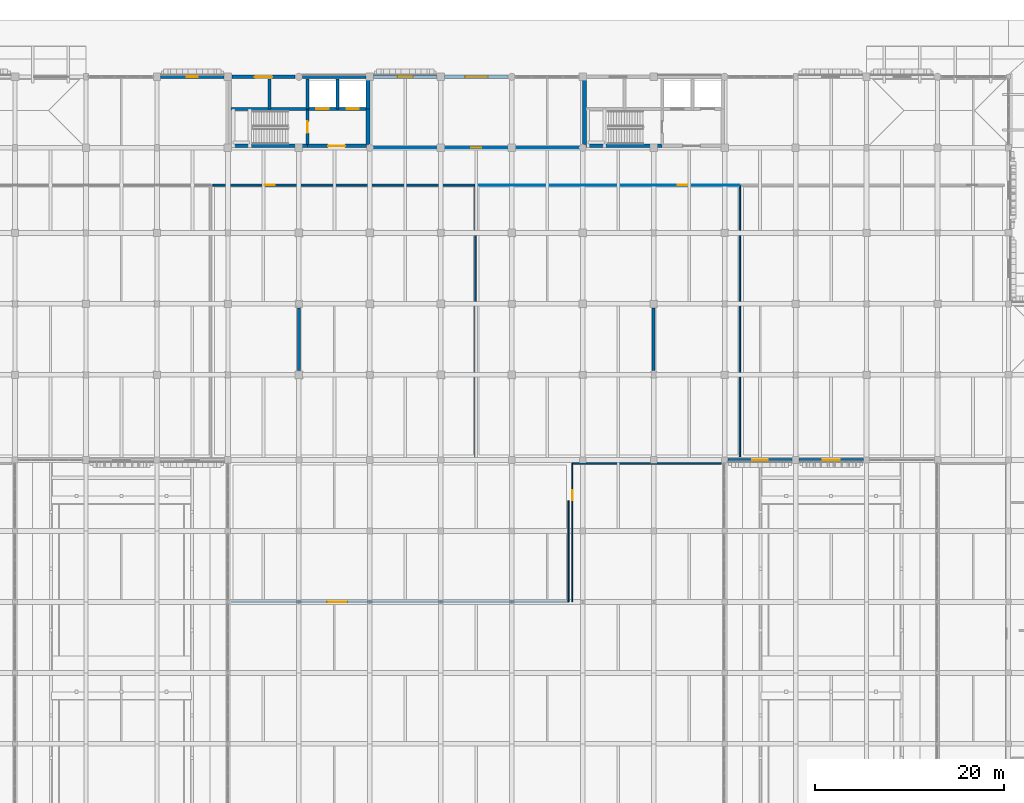
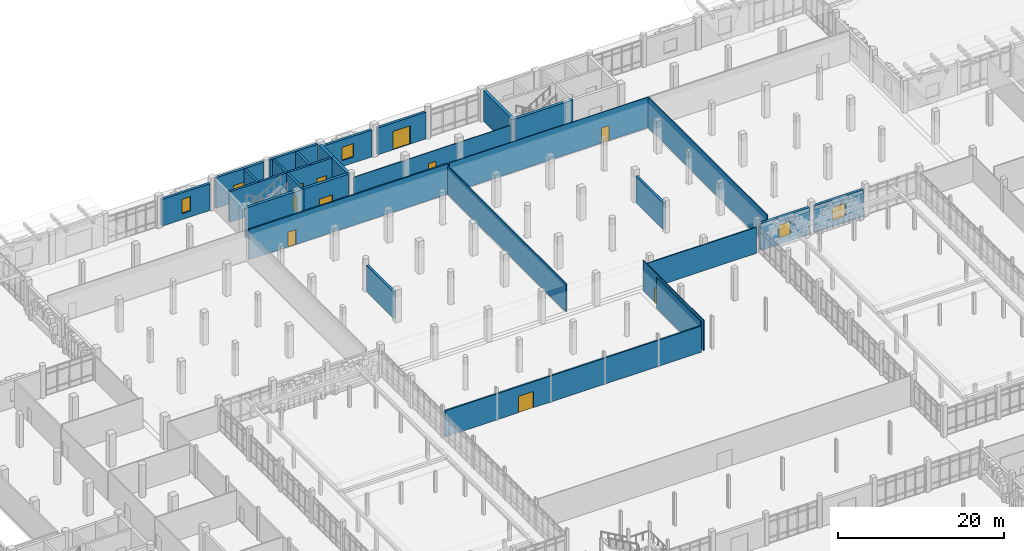
# One storey, part 95 of 125: 30 walls, 11 doors, 4 windows, 15 openings.
"""IFC4 building model written with IfcOpenShell, lengths in metres."""

from ifc_helpers import new_model, si_unit, direction, frame, frame_2d, origin, place, context, subcontext, project, spatial, rectangle, extrude, material, layer, layer_set, type_object, element, fill, save


model = new_model("IFC4")

# Units and contexts
model_context = context("Model", 3, precision=1e-05, world=origin(), true_north=direction((0.0, 1.0)))
body_context = subcontext(model_context, "Body", "Model", "MODEL_VIEW")
ifc_project = project(units=[si_unit("LENGTHUNIT", "METRE"), si_unit("AREAUNIT", "SQUARE_METRE"), si_unit("VOLUMEUNIT", "CUBIC_METRE"), si_unit("PLANEANGLEUNIT", "RADIAN"), si_unit("MASSUNIT", "GRAM", prefix="KILO")], contexts=[model_context])

# Site, building, storey
site_placement = place(None, origin())
site = spatial("IfcSite", under=ifc_project, at=site_placement, CompositionType="ELEMENT")
building_placement = place(site_placement, origin())
building = spatial("IfcBuilding", under=site, at=building_placement, Name="Dalvernix Boulevard General Hospital", CompositionType="ELEMENT")
storey_placement = place(building_placement, origin())
storey = spatial("IfcBuildingStorey", under=building, at=storey_placement, Name="L00", CompositionType="ELEMENT", Elevation=0.0)

# Wall
ifc_material_1 = material(Name="Concrete C40/50", Category="concrete")
ifc_layer_1 = layer(ifc_material_1, 0.39990234375)
ifc_layer_set_1 = layer_set([ifc_layer_1], Name="Concrete C40/50 (WAL-CSW-01)")
wall_type_1 = type_object("IfcWallType", Name="WAL-CSW-01", PredefinedType="SHEAR", material=ifc_layer_set_1)
wall_1_placement = place(storey_placement, frame((60.35009765625, 109.699951171875, 0.0), z_axis=(0.0, 0.0, 1.0), x_axis=(1.0, 0.0, 0.0)))
element("IfcWall", 1, at=wall_1_placement, inside=storey, type_object=wall_type_1, Name="L00 C3 south stairwell wall", PredefinedType="SHEAR", context=body_context, shape_type="SweptSolid", body=[
    extrude(rectangle(XDim=8.0498046875, YDim=0.39990234375, at=frame_2d((4.02490234375, 0.0))), origin(), (0.0, 0.0, 1.0), 4.5),
])

# Wall, opening, door
wall_2_placement = place(storey_placement, frame((68.39990234375, 109.699951171875, 0.0), z_axis=(0.0, 0.0, 1.0), x_axis=(1.0, 0.0, 0.0)))
wall_2 = element("IfcWall", 2, at=wall_2_placement, inside=storey, type_object=wall_type_1, Name="L00 C3 south firefighting lobby wall", PredefinedType="SHEAR", context=body_context, shape_type="SweptSolid", body=[
    extrude(rectangle(XDim=6.25, YDim=0.39990234375, at=frame_2d((3.125, 0.0))), origin(), (0.0, 0.0, 1.0), 4.5),
])
opening_1_placement = place(wall_2_placement, frame((2.199951171875, 0.0, 0.0)))
opening_1 = element("IfcOpeningElement", 3, at=opening_1_placement, cuts=wall_2, Name="Opening FD-01", PredefinedType="OPENING", context=body_context, shape_type="SweptSolid", body=[
    extrude(rectangle(XDim=1.800048828125, YDim=2.25, at=frame_2d((0.89990234375, 1.125))), frame((0.0, 0.2099609375, 0.0), z_axis=(0.0, -1.0, 0.0), x_axis=(1.0, 0.0, 0.0)), (0.0, 0.0, 1.0), 0.419921875),
])
ifc_material_2 = material(Name="Hospital laminate acoustic timber and steel frame", Category="steel")
door_type_1 = type_object("IfcDoorType", Name="DR-FD-01", OperationType="DOUBLE_DOOR_SINGLE_SWING", PredefinedType="DOOR", material=ifc_material_2)
door_1_placement = place(opening_1_placement, origin())
door_1 = element("IfcDoor", 4, at=door_1_placement, inside=storey, type_object=door_type_1, Name="L00 C3 firefighting lobby door", OperationType="DOUBLE_DOOR_SINGLE_SWING", OverallHeight=2.25, OverallWidth=1.800048828125, PredefinedType="DOOR", context=body_context, shape_type="SweptSolid", body=[
    extrude(rectangle(XDim=1.800048828125, YDim=2.25, at=frame_2d((0.89990234375, 1.125))), frame((0.0, 0.02490234375, 0.0), z_axis=(0.0, -1.0, 0.0), x_axis=(1.0, 0.0, 0.0)), (0.0, 0.0, 1.0), 0.050048828125),
])
fill(opening_1, door_1)

# Walls
wall_3_placement = place(storey_placement, frame((74.800048828125, 109.85009765625, 0.0), z_axis=(0.0, 0.0, 1.0), x_axis=(0.0, 1.0, 0.0)))
element("IfcWall", 5, at=wall_3_placement, inside=storey, type_object=wall_type_1, Name="L00 C3 east lobby core wall", PredefinedType="SHEAR", context=body_context, shape_type="SweptSolid", body=[
    extrude(rectangle(XDim=3.75, YDim=0.39990234375, at=frame_2d((1.875, 0.0))), origin(), (0.0, 0.0, 1.0), 4.5),
])
wall_4_placement = place(storey_placement, frame((74.800048828125, 113.60009765625, 0.0), z_axis=(0.0, 0.0, 1.0), x_axis=(0.0, 1.0, 0.0)))
element("IfcWall", 6, at=wall_4_placement, inside=storey, type_object=wall_type_1, Name="L00 C3 east shaft core wall", PredefinedType="SHEAR", context=body_context, shape_type="SweptSolid", body=[
    extrude(rectangle(XDim=3.0498046875, YDim=0.39990234375, at=frame_2d((1.52490234375, 0.0))), origin(), (0.0, 0.0, 1.0), 4.5),
])
wall_5_placement = place(storey_placement, frame((97.85009765625, 109.699951171875, 0.0), z_axis=(0.0, 0.0, 1.0), x_axis=(1.0, 0.0, 0.0)))
element("IfcWall", 7, at=wall_5_placement, inside=storey, type_object=wall_type_1, Name="L00 C4 south stairwell wall", PredefinedType="SHEAR", context=body_context, shape_type="SweptSolid", body=[
    extrude(rectangle(XDim=8.0498046875, YDim=0.39990234375, at=frame_2d((4.02490234375, 0.0))), origin(), (0.0, 0.0, 1.0), 4.5),
])
wall_6_placement = place(storey_placement, frame((97.699951171875, 109.85009765625, 0.0), z_axis=(0.0, 0.0, 1.0), x_axis=(0.0, 1.0, 0.0)))
element("IfcWall", 8, at=wall_6_placement, inside=storey, type_object=wall_type_1, Name="L00 C4 west core wall", PredefinedType="SHEAR", context=body_context, shape_type="SweptSolid", body=[
    extrude(rectangle(XDim=6.7998046875, YDim=0.39990234375, at=frame_2d((3.39990234375, 0.0))), origin(), (0.0, 0.0, 1.0), 4.5),
])
ifc_layer_2 = layer(ifc_material_1, 0.300048828125)
ifc_layer_set_2 = layer_set([ifc_layer_2], Name="Concrete C40/50 (WAL-CSW-02)")
wall_type_2 = type_object("IfcWallType", Name="WAL-CSW-02", PredefinedType="SHEAR", material=ifc_layer_set_2)
wall_7_placement = place(storey_placement, frame((60.35009765625, 113.60009765625, 0.0), z_axis=(0.0, 0.0, 1.0), x_axis=(1.0, 0.0, 0.0)))
element("IfcWall", 9, at=wall_7_placement, inside=storey, type_object=wall_type_2, Name="L00 C3 riser spine wall", PredefinedType="SHEAR", context=body_context, shape_type="SweptSolid", body=[
    extrude(rectangle(XDim=8.0498046875, YDim=0.300048828125, at=frame_2d((4.02490234375, 0.0))), origin(), (0.0, 0.0, 1.0), 4.5),
])

# Wall, openings, doors
wall_8_placement = place(storey_placement, frame((68.39990234375, 113.60009765625, 0.0), z_axis=(0.0, 0.0, 1.0), x_axis=(1.0, 0.0, 0.0)))
wall_8 = element("IfcWall", 10, at=wall_8_placement, inside=storey, type_object=wall_type_2, Name="L00 C3 lift shaft front wall", PredefinedType="SHEAR", context=body_context, shape_type="SweptSolid", body=[
    extrude(rectangle(XDim=6.25, YDim=0.300048828125, at=frame_2d((3.125, 0.0))), origin(), (0.0, 0.0, 1.0), 4.5),
])
opening_2_placement = place(wall_8_placement, frame((0.949951171875, 0.0, 0.0)))
opening_2 = element("IfcOpeningElement", 11, at=opening_2_placement, cuts=wall_8, Name="Opening LD-LF-01-L00", PredefinedType="OPENING", context=body_context, shape_type="SweptSolid", body=[
    extrude(rectangle(XDim=1.300048828125, YDim=2.199951171875, at=frame_2d((0.64990234375, 1.10009765625))), frame((0.0, 0.159912109375, 0.0), z_axis=(0.0, -1.0, 0.0), x_axis=(1.0, 0.0, 0.0)), (0.0, 0.0, 1.0), 0.320068359375),
])
opening_3_placement = place(wall_8_placement, frame((4.14990234375, 0.0, 0.0)))
opening_3 = element("IfcOpeningElement", 12, at=opening_3_placement, cuts=wall_8, Name="Opening LD-LF-02-L00", PredefinedType="OPENING", context=body_context, shape_type="SweptSolid", body=[
    extrude(rectangle(XDim=1.300048828125, YDim=2.199951171875, at=frame_2d((0.64990234375, 1.10009765625))), frame((0.0, 0.159912109375, 0.0), z_axis=(0.0, -1.0, 0.0), x_axis=(1.0, 0.0, 0.0)), (0.0, 0.0, 1.0), 0.320068359375),
])
ifc_material_3 = material(Name="Stainless-clad steel", Category="steel")
door_type_2 = type_object("IfcDoorType", Name="DR-LD-02", OperationType="DOUBLE_DOOR_SLIDING", PredefinedType="DOOR", material=ifc_material_3)
door_2_placement = place(opening_2_placement, origin())
door_2 = element("IfcDoor", 13, at=door_2_placement, inside=storey, type_object=door_type_2, Name="L00 Lift LF-01 sliding landing door", OperationType="DOUBLE_DOOR_SLIDING", OverallHeight=2.199951171875, OverallWidth=1.300048828125, PredefinedType="DOOR", context=body_context, shape_type="SweptSolid", body=[
    extrude(rectangle(XDim=1.300048828125, YDim=2.199951171875, at=frame_2d((0.64990234375, 1.10009765625))), frame((0.0, 0.02490234375, 0.0), z_axis=(0.0, -1.0, 0.0), x_axis=(1.0, 0.0, 0.0)), (0.0, 0.0, 1.0), 0.050048828125),
])
fill(opening_2, door_2)
door_3_placement = place(opening_3_placement, origin())
door_3 = element("IfcDoor", 14, at=door_3_placement, inside=storey, type_object=door_type_2, Name="L00 Lift LF-02 sliding landing door", OperationType="DOUBLE_DOOR_SLIDING", OverallHeight=2.199951171875, OverallWidth=1.300048828125, PredefinedType="DOOR", context=body_context, shape_type="SweptSolid", body=[
    extrude(rectangle(XDim=1.300048828125, YDim=2.199951171875, at=frame_2d((0.64990234375, 1.10009765625))), frame((0.0, 0.02490234375, 0.0), z_axis=(0.0, -1.0, 0.0), x_axis=(1.0, 0.0, 0.0)), (0.0, 0.0, 1.0), 0.050048828125),
])
fill(opening_3, door_3)

# Wall, opening, door
wall_9_placement = place(storey_placement, frame((68.39990234375, 113.5, 0.0), z_axis=(0.0, 0.0, 1.0), x_axis=(0.0, -1.0, 0.0)))
wall_9 = element("IfcWall", 15, at=wall_9_placement, inside=storey, type_object=wall_type_2, Name="L00 C3 stairwell fire wall", PredefinedType="SHEAR", context=body_context, shape_type="SweptSolid", body=[
    extrude(rectangle(XDim=3.64990234375, YDim=0.300048828125, at=frame_2d((1.824951171875, 0.0))), origin(), (0.0, 0.0, 1.0), 4.5),
])
opening_4_placement = place(wall_9_placement, frame((1.219970703125, 0.0, 0.0)))
opening_4 = element("IfcOpeningElement", 16, at=opening_4_placement, cuts=wall_9, Name="Opening FD-02", PredefinedType="OPENING", context=body_context, shape_type="SweptSolid", body=[
    extrude(rectangle(XDim=1.199951171875, YDim=2.25, at=frame_2d((0.60009765625, 1.125))), frame((0.0, 0.159912109375, 0.0), z_axis=(0.0, -1.0, 0.0), x_axis=(1.0, 0.0, 0.0)), (0.0, 0.0, 1.0), 0.320068359375),
])
door_type_3 = type_object("IfcDoorType", Name="DR-FD-02", OperationType="NOTDEFINED", PredefinedType="DOOR", material=ifc_material_2)
door_4_placement = place(opening_4_placement, origin())
door_4 = element("IfcDoor", 17, at=door_4_placement, inside=storey, type_object=door_type_3, Name="L00 Stair ST-03 fire door", OperationType="SINGLE_SWING_RIGHT", OverallHeight=2.25, OverallWidth=1.199951171875, PredefinedType="DOOR", context=body_context, shape_type="SweptSolid", body=[
    extrude(rectangle(XDim=1.199951171875, YDim=2.25, at=frame_2d((0.60009765625, 1.125))), frame((0.0, 0.02490234375, 0.0), z_axis=(0.0, -1.0, 0.0), x_axis=(1.0, 0.0, 0.0)), (0.0, 0.0, 1.0), 0.050048828125),
])
fill(opening_4, door_4)

# Walls
for number, where, z_axis, x_axis, name in (
    (18, (64.39990234375, 113.60009765625, 0.0), (0.0, 0.0, 1.0), (0.0, 1.0, 0.0), "L00 C3 shaft divider R1"),
    (19, (68.39990234375, 113.60009765625, 0.0), (0.0, 0.0, 1.0), (0.0, 1.0, 0.0), "L00 C3 shaft divider R2"),
    (20, (71.60009765625, 113.60009765625, 0.0), (0.0, 0.0, 1.0), (0.0, 1.0, 0.0), "L00 C3 shaft divider L1"),
):
    element("IfcWall", number, at=place(storey_placement, frame(where, z_axis=z_axis, x_axis=x_axis)), inside=storey, type_object=wall_type_2, Name=name, PredefinedType="SHEAR", context=body_context, shape_type="SweptSolid", body=[
        extrude(rectangle(XDim=3.14990234375, YDim=0.300048828125, at=frame_2d((1.574951171875, 0.0))), origin(), (0.0, 0.0, 1.0), 4.5),
    ])

# Wall, opening, door
ifc_layer_3 = layer(ifc_material_1, 0.35009765625)
ifc_layer_set_3 = layer_set([ifc_layer_3], Name="Concrete C40/50 (WAL-ESW-01)")
wall_type_3 = type_object("IfcWallType", Name="WAL-ESW-01", PredefinedType="SHEAR", material=ifc_layer_set_3)
wall_10_placement = place(storey_placement, frame((60.409912109375, 117.0, 0.0), z_axis=(0.0, 0.0, 1.0), x_axis=(1.0, 0.0, 0.0)))
wall_10 = element("IfcWall", 21, at=wall_10_placement, inside=storey, type_object=wall_type_3, Name="L00 core perimeter shear wall N 8-15", PredefinedType="SHEAR", context=body_context, shape_type="SweptSolid", body=[
    extrude(rectangle(XDim=6.705078125, YDim=0.35009765625, at=frame_2d((3.3525390625, 0.0))), origin(), (0.0, 0.0, 1.0), 4.5),
])
opening_5_placement = place(wall_10_placement, frame((2.452392578125, 0.0, 0.0)))
opening_5 = element("IfcOpeningElement", 22, at=opening_5_placement, cuts=wall_10, Name="Opening ED-18", PredefinedType="OPENING", context=body_context, shape_type="SweptSolid", body=[
    extrude(rectangle(XDim=1.800048828125, YDim=2.5, at=frame_2d((0.89990234375, 1.25))), frame((0.0, 0.18505859375, 0.0), z_axis=(0.0, -1.0, 0.0), x_axis=(1.0, 0.0, 0.0)), (0.0, 0.0, 1.0), 0.3701171875),
])
ifc_material_4 = material(Name="Galvanized painted steel", Category="steel")
door_type_4 = type_object("IfcDoorType", Name="DR-ED-18", OperationType="DOUBLE_DOOR_SINGLE_SWING", PredefinedType="DOOR", material=ifc_material_4)
door_5_placement = place(opening_5_placement, origin())
door_5 = element("IfcDoor", 23, at=door_5_placement, inside=storey, type_object=door_type_4, Name="Final Exit Door ED-L00-03 (Core C3)", OperationType="DOUBLE_DOOR_SINGLE_SWING", OverallHeight=2.5, OverallWidth=1.800048828125, PredefinedType="DOOR", context=body_context, shape_type="SweptSolid", body=[
    extrude(rectangle(XDim=1.800048828125, YDim=2.5, at=frame_2d((0.89990234375, 1.25))), frame((0.0, 0.02490234375, 0.0), z_axis=(0.0, -1.0, 0.0), x_axis=(1.0, 0.0, 0.0)), (0.0, 0.0, 1.0), 0.050048828125),
])
fill(opening_5, door_5)

# Walls
wall_11_placement = place(storey_placement, frame((67.885009765625, 117.0, 0.0), z_axis=(0.0, 0.0, 1.0), x_axis=(1.0, 0.0, 0.0)))
element("IfcWall", 24, at=wall_11_placement, inside=storey, type_object=wall_type_3, Name="L00 core perimeter shear wall N 9-15", PredefinedType="SHEAR", context=body_context, shape_type="SweptSolid", body=[
    extrude(rectangle(XDim=6.705078125, YDim=0.35009765625, at=frame_2d((3.3525390625, 0.0))), origin(), (0.0, 0.0, 1.0), 4.5),
])
ifc_layer_4 = layer(ifc_material_1, 0.320068359375)
ifc_layer_set_4 = layer_set([ifc_layer_4], Name="Concrete C40/50 (WAL-ESW-02)")
wall_type_4 = type_object("IfcWallType", Name="WAL-ESW-02", PredefinedType="SHEAR", material=ifc_layer_set_4)
for number, where, z_axis, x_axis, name in (
    (25, (67.5, 85.949951171875, 0.0), (0.0, 0.0, 1.0), (0.0, 1.0, 0.0), "L00 reinforced concrete shear wall 4"),
    (26, (105.0, 85.949951171875, 0.0), (0.0, 0.0, 1.0), (0.0, 1.0, 0.0), "L00 reinforced concrete shear wall 5"),
):
    element("IfcWall", number, at=place(storey_placement, frame(where, z_axis=z_axis, x_axis=x_axis)), inside=storey, type_object=wall_type_4, Name=name, PredefinedType="SHEAR", context=body_context, shape_type="SweptSolid", body=[
        extrude(rectangle(XDim=6.60009765625, YDim=0.320068359375, at=frame_2d((3.300048828125, 0.0))), origin(), (0.0, 0.0, 1.0), 3.949951171875),
    ])

# Wall, opening, window
ifc_material_5 = material(Name="Pressed Catalan clay brick and insulated concrete cavity wall C35/45", Category="masonry")
ifc_layer_5 = layer(ifc_material_5, 0.35009765625)
ifc_layer_set_5 = layer_set([ifc_layer_5], Name="Pressed Catalan clay brick and insulated concrete cavity wall C35/45 (WAL-EW-01)")
wall_type_5 = type_object("IfcWallType", Name="WAL-EW-01", PredefinedType="STANDARD", material=ifc_layer_set_5)
wall_12_placement = place(storey_placement, frame((52.885009765625, 117.0, 0.0), z_axis=(0.0, 0.0, 1.0), x_axis=(1.0, 0.0, 0.0)))
wall_12 = element("IfcWall", 27, at=wall_12_placement, inside=storey, type_object=wall_type_5, Name="L00 Catalan brick external wall N 7-15", PredefinedType="STANDARD", context=body_context, shape_type="SweptSolid", body=[
    extrude(rectangle(XDim=6.705078125, YDim=0.35009765625, at=frame_2d((3.3525390625, 0.0))), origin(), (0.0, 0.0, 1.0), 3.949951171875),
])
opening_6_placement = place(wall_12_placement, frame((2.75244140625, 0.0, 0.89990234375)))
opening_6 = element("IfcOpeningElement", 28, at=opening_6_placement, cuts=wall_12, Name="Opening WN-07", PredefinedType="OPENING", context=body_context, shape_type="SweptSolid", body=[
    extrude(rectangle(XDim=1.199951171875, YDim=2.10009765625, at=frame_2d((0.60009765625, 1.050048828125))), frame((0.0, 0.18505859375, 0.0), z_axis=(0.0, -1.0, 0.0), x_axis=(1.0, 0.0, 0.0)), (0.0, 0.0, 1.0), 0.3701171875),
])
ifc_material_6 = material(Name="Thermally broken aluminium frame with solar-control double glazing", Category="aluminium")
window_type_1 = type_object("IfcWindowType", Name="WIN-WN-07", PartitioningType="SINGLE_PANEL", PredefinedType="WINDOW", material=ifc_material_6)
window_1_placement = place(opening_6_placement, origin())
window_1 = element("IfcWindow", 29, at=window_1_placement, inside=storey, type_object=window_type_1, Name="L00 clinical window WN-07 N 7-15", OverallHeight=2.10009765625, OverallWidth=1.199951171875, PartitioningType="SINGLE_PANEL", PredefinedType="WINDOW", context=body_context, shape_type="SweptSolid", body=[
    extrude(rectangle(XDim=1.199951171875, YDim=2.10009765625, at=frame_2d((0.60009765625, 1.050048828125))), frame((0.0, 0.030029296875, 0.0), z_axis=(0.0, -1.0, 0.0), x_axis=(1.0, 0.0, 0.0)), (0.0, 0.0, 1.0), 0.06005859375),
])
fill(opening_6, window_1)

wall_13_placement = place(storey_placement, frame((75.409912109375, 117.0, 0.0), z_axis=(0.0, 0.0, 1.0), x_axis=(1.0, 0.0, 0.0)))
wall_13 = element("IfcWall", 30, at=wall_13_placement, inside=storey, type_object=wall_type_5, Name="L00 Catalan brick external wall N 10-15", PredefinedType="STANDARD", context=body_context, shape_type="SweptSolid", body=[
    extrude(rectangle(XDim=6.68017578125, YDim=0.35009765625, at=frame_2d((3.340087890625, 0.0))), origin(), (0.0, 0.0, 1.0), 3.949951171875),
])
opening_7_placement = place(wall_13_placement, frame((2.5400390625, 0.0, 0.89990234375)))
opening_7 = element("IfcOpeningElement", 31, at=opening_7_placement, cuts=wall_13, Name="Opening WN-10", PredefinedType="OPENING", context=body_context, shape_type="SweptSolid", body=[
    extrude(rectangle(XDim=1.60009765625, YDim=1.949951171875, at=frame_2d((0.800048828125, 0.97509765625))), frame((0.0, 0.18505859375, 0.0), z_axis=(0.0, -1.0, 0.0), x_axis=(1.0, 0.0, 0.0)), (0.0, 0.0, 1.0), 0.3701171875),
])
window_type_2 = type_object("IfcWindowType", Name="WIN-WN-10", PartitioningType="SINGLE_PANEL", PredefinedType="WINDOW", material=ifc_material_6)
window_2_placement = place(opening_7_placement, origin())
window_2 = element("IfcWindow", 32, at=window_2_placement, inside=storey, type_object=window_type_2, Name="L00 clinical window WN-10 N 10-15", OverallHeight=1.949951171875, OverallWidth=1.60009765625, PartitioningType="SINGLE_PANEL", PredefinedType="WINDOW", context=body_context, shape_type="SweptSolid", body=[
    extrude(rectangle(XDim=1.60009765625, YDim=1.949951171875, at=frame_2d((0.800048828125, 0.97509765625))), frame((0.0, 0.030029296875, 0.0), z_axis=(0.0, -1.0, 0.0), x_axis=(1.0, 0.0, 0.0)), (0.0, 0.0, 1.0), 0.06005859375),
])
fill(opening_7, window_2)

# Wall, opening, door
wall_14_placement = place(storey_placement, frame((82.909912109375, 117.0, 0.0), z_axis=(0.0, 0.0, 1.0), x_axis=(1.0, 0.0, 0.0)))
wall_14 = element("IfcWall", 33, at=wall_14_placement, inside=storey, type_object=wall_type_5, Name="L00 Catalan brick external wall N 11-15", PredefinedType="STANDARD", context=body_context, shape_type="SweptSolid", body=[
    extrude(rectangle(XDim=6.705078125, YDim=0.35009765625, at=frame_2d((3.3525390625, 0.0))), origin(), (0.0, 0.0, 1.0), 3.949951171875),
])
opening_8_placement = place(wall_14_placement, frame((2.152587890625, 0.0, 0.0)))
opening_8 = element("IfcOpeningElement", 34, at=opening_8_placement, cuts=wall_14, Name="Opening ED-24", PredefinedType="OPENING", context=body_context, shape_type="SweptSolid", body=[
    extrude(rectangle(XDim=2.39990234375, YDim=2.699951171875, at=frame_2d((1.199951171875, 1.35009765625))), frame((0.0, 0.18505859375, 0.0), z_axis=(0.0, -1.0, 0.0), x_axis=(1.0, 0.0, 0.0)), (0.0, 0.0, 1.0), 0.3701171875),
])
ifc_material_7 = material(Name="Powder-coated aluminium and laminated safety glass", Category="aluminium")
door_type_5 = type_object("IfcDoorType", Name="DR-ED-24", OperationType="DOUBLE_DOOR_SINGLE_SWING", PredefinedType="DOOR", material=ifc_material_7)
door_6_placement = place(opening_8_placement, origin())
door_6 = element("IfcDoor", 35, at=door_6_placement, inside=storey, type_object=door_type_5, Name="North Diagnostic Main Exit Door ED-L00-11", OperationType="DOUBLE_DOOR_SINGLE_SWING", OverallHeight=2.699951171875, OverallWidth=2.39990234375, PredefinedType="DOOR", context=body_context, shape_type="SweptSolid", body=[
    extrude(rectangle(XDim=2.39990234375, YDim=2.699951171875, at=frame_2d((1.199951171875, 1.35009765625))), frame((0.0, 0.02490234375, 0.0), z_axis=(0.0, -1.0, 0.0), x_axis=(1.0, 0.0, 0.0)), (0.0, 0.0, 1.0), 0.050048828125),
])
fill(opening_8, door_6)

# Wall, opening, window
wall_15_placement = place(storey_placement, frame((119.639892578125, 76.5, 0.0), z_axis=(0.0, 0.0, 1.0), x_axis=(-1.0, 0.0, 0.0)))
wall_15 = element("IfcWall", 36, at=wall_15_placement, inside=storey, type_object=wall_type_5, Name="L00 Catalan brick external wall S 15-10", PredefinedType="STANDARD", context=body_context, shape_type="SweptSolid", body=[
    extrude(rectangle(XDim=6.804931640625, YDim=0.35009765625, at=frame_2d((3.40234375, 0.0))), origin(), (0.0, 0.0, 1.0), 3.949951171875),
])
opening_9_placement = place(wall_15_placement, frame((2.6025390625, 0.0, 0.89990234375)))
opening_9 = element("IfcOpeningElement", 37, at=opening_9_placement, cuts=wall_15, Name="Opening WN-10", PredefinedType="OPENING", context=body_context, shape_type="SweptSolid", body=[
    extrude(rectangle(XDim=1.60009765625, YDim=1.949951171875, at=frame_2d((0.800048828125, 0.97509765625))), frame((0.0, 0.18505859375, 0.0), z_axis=(0.0, -1.0, 0.0), x_axis=(1.0, 0.0, 0.0)), (0.0, 0.0, 1.0), 0.3701171875),
])
window_3_placement = place(opening_9_placement, origin())
window_3 = element("IfcWindow", 38, at=window_3_placement, inside=storey, type_object=window_type_2, Name="L00 clinical window WN-10 S 15-10", OverallHeight=1.949951171875, OverallWidth=1.60009765625, PartitioningType="SINGLE_PANEL", PredefinedType="WINDOW", context=body_context, shape_type="SweptSolid", body=[
    extrude(rectangle(XDim=1.60009765625, YDim=1.949951171875, at=frame_2d((0.800048828125, 0.97509765625))), frame((0.0, 0.030029296875, 0.0), z_axis=(0.0, -1.0, 0.0), x_axis=(1.0, 0.0, 0.0)), (0.0, 0.0, 1.0), 0.06005859375),
])
fill(opening_9, window_3)

wall_16_placement = place(storey_placement, frame((127.1650390625, 76.5, 0.0), z_axis=(0.0, 0.0, 1.0), x_axis=(-1.0, 0.0, 0.0)))
wall_16 = element("IfcWall", 39, at=wall_16_placement, inside=storey, type_object=wall_type_5, Name="L00 Catalan brick external wall S 16-10", PredefinedType="STANDARD", context=body_context, shape_type="SweptSolid", body=[
    extrude(rectangle(XDim=6.804931640625, YDim=0.35009765625, at=frame_2d((3.40234375, 0.0))), origin(), (0.0, 0.0, 1.0), 3.949951171875),
])
opening_10_placement = place(wall_16_placement, frame((2.50244140625, 0.0, 0.89990234375)))
opening_10 = element("IfcOpeningElement", 40, at=opening_10_placement, cuts=wall_16, Name="Opening WN-11", PredefinedType="OPENING", context=body_context, shape_type="SweptSolid", body=[
    extrude(rectangle(XDim=1.800048828125, YDim=1.949951171875, at=frame_2d((0.89990234375, 0.97509765625))), frame((0.0, 0.18505859375, 0.0), z_axis=(0.0, -1.0, 0.0), x_axis=(1.0, 0.0, 0.0)), (0.0, 0.0, 1.0), 0.3701171875),
])
window_type_3 = type_object("IfcWindowType", Name="WIN-WN-11", PartitioningType="SINGLE_PANEL", PredefinedType="WINDOW", material=ifc_material_6)
window_4_placement = place(opening_10_placement, origin())
window_4 = element("IfcWindow", 41, at=window_4_placement, inside=storey, type_object=window_type_3, Name="L00 clinical window WN-11 S 16-10", OverallHeight=1.949951171875, OverallWidth=1.800048828125, PartitioningType="SINGLE_PANEL", PredefinedType="WINDOW", context=body_context, shape_type="SweptSolid", body=[
    extrude(rectangle(XDim=1.800048828125, YDim=1.949951171875, at=frame_2d((0.89990234375, 0.97509765625))), frame((0.0, 0.030029296875, 0.0), z_axis=(0.0, -1.0, 0.0), x_axis=(1.0, 0.0, 0.0)), (0.0, 0.0, 1.0), 0.06005859375),
])
fill(opening_10, window_4)

# Wall, opening, door
ifc_material_8 = material(Name="Fire-compartment corridor masonry wall", Category="masonry")
ifc_layer_6 = layer(ifc_material_8, 0.199951171875)
ifc_layer_set_6 = layer_set([ifc_layer_6], Name="Fire-compartment corridor masonry wall (WAL-IW-02)")
wall_type_6 = type_object("IfcWallType", Name="WAL-IW-02", PredefinedType="STANDARD", material=ifc_layer_set_6)
wall_17_placement = place(storey_placement, frame((60.35009765625, 61.5, 0.0), z_axis=(0.0, 0.0, 1.0), x_axis=(1.0, 0.0, 0.0)))
wall_17 = element("IfcWall", 42, at=wall_17_placement, inside=storey, type_object=wall_type_6, Name="L00 Hospital Dining Hall and Visitor Cafeteria corridor wall", PredefinedType="STANDARD", context=body_context, shape_type="SweptSolid", body=[
    extrude(rectangle(XDim=35.64990234375, YDim=0.199951171875, at=frame_2d((17.824951171875, 0.0))), origin(), (0.0, 0.0, 1.0), 3.8349609375),
])
opening_11_placement = place(wall_17_placement, frame((10.1650390625, 0.0, 0.0)))
opening_11 = element("IfcOpeningElement", 43, at=opening_11_placement, cuts=wall_17, Name="Opening ID-13", PredefinedType="OPENING", context=body_context, shape_type="SweptSolid", body=[
    extrude(rectangle(XDim=2.10009765625, YDim=2.39990234375, at=frame_2d((1.050048828125, 1.199951171875))), frame((0.0, 0.10986328125, 0.0), z_axis=(0.0, -1.0, 0.0), x_axis=(1.0, 0.0, 0.0)), (0.0, 0.0, 1.0), 0.219970703125),
])
door_type_6 = type_object("IfcDoorType", Name="DR-ID-13", OperationType="DOUBLE_DOOR_SINGLE_SWING", PredefinedType="DOOR", material=ifc_material_2)
door_7_placement = place(opening_11_placement, origin())
door_7 = element("IfcDoor", 44, at=door_7_placement, inside=storey, type_object=door_type_6, Name="L00 Hospital Dining Hall and Visitor Cafeteria door", OperationType="DOUBLE_DOOR_SINGLE_SWING", OverallHeight=2.39990234375, OverallWidth=2.10009765625, PredefinedType="DOOR", context=body_context, shape_type="SweptSolid", body=[
    extrude(rectangle(XDim=2.10009765625, YDim=2.39990234375, at=frame_2d((1.050048828125, 1.199951171875))), frame((0.0, 0.02490234375, 0.0), z_axis=(0.0, -1.0, 0.0), x_axis=(1.0, 0.0, 0.0)), (0.0, 0.0, 1.0), 0.050048828125),
])
fill(opening_11, door_7)

wall_18_placement = place(storey_placement, frame((86.14990234375, 105.550048828125, 0.0), z_axis=(0.0, 0.0, 1.0), x_axis=(-1.0, 0.0, 0.0)))
wall_18 = element("IfcWall", 45, at=wall_18_placement, inside=storey, type_object=wall_type_6, Name="L00 Hospital Central Stores and Logistics Hall 02 corridor wall", PredefinedType="STANDARD", context=body_context, shape_type="SweptSolid", body=[
    extrude(rectangle(XDim=27.75, YDim=0.199951171875, at=frame_2d((13.875, 0.0))), origin(), (0.0, 0.0, 1.0), 4.485107421875),
])
opening_12_placement = place(wall_18_placement, frame((21.2099609375, 0.0, 0.0)))
opening_12 = element("IfcOpeningElement", 46, at=opening_12_placement, cuts=wall_18, Name="Opening ID-07", PredefinedType="OPENING", context=body_context, shape_type="SweptSolid", body=[
    extrude(rectangle(XDim=1.050048828125, YDim=2.199951171875, at=frame_2d((0.52490234375, 1.10009765625))), frame((0.0, 0.10986328125, 0.0), z_axis=(0.0, -1.0, 0.0), x_axis=(1.0, 0.0, 0.0)), (0.0, 0.0, 1.0), 0.219970703125),
])
door_type_7 = type_object("IfcDoorType", Name="DR-ID-07", OperationType="NOTDEFINED", PredefinedType="DOOR", material=ifc_material_2)
door_8_placement = place(opening_12_placement, origin())
door_8 = element("IfcDoor", 47, at=door_8_placement, inside=storey, type_object=door_type_7, Name="L00 Hospital Central Stores and Logistics Hall 02 door", OperationType="SINGLE_SWING_LEFT", OverallHeight=2.199951171875, OverallWidth=1.050048828125, PredefinedType="DOOR", context=body_context, shape_type="SweptSolid", body=[
    extrude(rectangle(XDim=1.050048828125, YDim=2.199951171875, at=frame_2d((0.52490234375, 1.10009765625))), frame((0.0, 0.02490234375, 0.0), z_axis=(0.0, -1.0, 0.0), x_axis=(1.0, 0.0, 0.0)), (0.0, 0.0, 1.0), 0.050048828125),
])
fill(opening_12, door_8)

# Walls
ifc_material_9 = material(Name="Acoustic double-stud gypsum inpatient partition")
ifc_layer_7 = layer(ifc_material_9, 0.14990234375)
ifc_layer_set_7 = layer_set([ifc_layer_7], Name="Acoustic double-stud gypsum inpatient partition (WAL-IW-04)")
wall_type_7 = type_object("IfcWallType", Name="WAL-IW-04", PredefinedType="PARTITIONING", material=ifc_layer_set_7)
wall_19_placement = place(storey_placement, frame((96.0, 61.5, 0.0), z_axis=(0.0, 0.0, 1.0), x_axis=(0.0, 1.0, 0.0)))
element("IfcWall", 48, at=wall_19_placement, inside=storey, type_object=wall_type_7, Name="L00 Hospital Dining Hall and Visitor Cafeteria partition", PredefinedType="PARTITIONING", context=body_context, shape_type="SweptSolid", body=[
    extrude(rectangle(XDim=10.669921875, YDim=0.14990234375, at=frame_2d((5.3349609375, 0.0))), origin(), (0.0, 0.0, 1.0), 4.485107421875),
])
wall_20_placement = place(storey_placement, frame((96.39990234375, 76.14990234375, 0.0), z_axis=(0.0, 0.0, 1.0), x_axis=(1.0, 0.0, 0.0)))
element("IfcWall", 49, at=wall_20_placement, inside=storey, type_object=wall_type_7, Name="L00 Central Dietary Kitchen and Preparation Suite partition", PredefinedType="PARTITIONING", context=body_context, shape_type="SweptSolid", body=[
    extrude(rectangle(XDim=15.75, YDim=0.14990234375, at=frame_2d((7.875, 0.0))), origin(), (0.0, 0.0, 1.0), 3.8349609375),
])
wall_21_placement = place(storey_placement, frame((86.14990234375, 76.85009765625, 0.0), z_axis=(0.0, 0.0, 1.0), x_axis=(0.0, 1.0, 0.0)))
element("IfcWall", 50, at=wall_21_placement, inside=storey, type_object=wall_type_7, Name="L00 Hospital Central Stores and Logistics Hall 02 partition", PredefinedType="PARTITIONING", context=body_context, shape_type="SweptSolid", body=[
    extrude(rectangle(XDim=28.699951171875, YDim=0.14990234375, at=frame_2d((14.35009765625, 0.0))), origin(), (0.0, 0.0, 1.0), 4.0849609375),
])
wall_22_placement = place(storey_placement, frame((114.10009765625, 76.85009765625, 0.0), z_axis=(0.0, 0.0, 1.0), x_axis=(0.0, 1.0, 0.0)))
element("IfcWall", 51, at=wall_22_placement, inside=storey, type_object=wall_type_7, Name="L00 Hospital Central Stores and Logistics Hall 03 partition", PredefinedType="PARTITIONING", context=body_context, shape_type="SweptSolid", body=[
    extrude(rectangle(XDim=28.699951171875, YDim=0.14990234375, at=frame_2d((14.35009765625, 0.0))), origin(), (0.0, 0.0, 1.0), 4.485107421875),
])

# Wall, opening, door
ifc_material_10 = material(Name="Fire-resisting clinical sub-partition")
ifc_layer_8 = layer(ifc_material_10, 0.10009765625)
ifc_layer_set_8 = layer_set([ifc_layer_8], Name="Fire-resisting clinical sub-partition (WAL-IW-06)")
wall_type_8 = type_object("IfcWallType", Name="WAL-IW-06", PredefinedType="PARTITIONING", material=ifc_layer_set_8)
wall_23_placement = place(storey_placement, frame((96.39990234375, 76.14990234375, 0.0), z_axis=(0.0, 0.0, 1.0), x_axis=(0.0, -1.0, 0.0)))
wall_23 = element("IfcWall", 52, at=wall_23_placement, inside=storey, type_object=wall_type_8, Name="L00 Central Dietary Kitchen and Preparation Suite corridor wall", PredefinedType="PARTITIONING", context=body_context, shape_type="SweptSolid", body=[
    extrude(rectangle(XDim=14.64990234375, YDim=0.10009765625, at=frame_2d((7.324951171875, 0.0))), origin(), (0.0, 0.0, 1.0), 4.485107421875),
])
opening_13_placement = place(wall_23_placement, frame((2.8701171875, 0.0, 0.0)))
opening_13 = element("IfcOpeningElement", 53, at=opening_13_placement, cuts=wall_23, Name="Opening ID-07", PredefinedType="OPENING", context=body_context, shape_type="SweptSolid", body=[
    extrude(rectangle(XDim=1.050048828125, YDim=2.199951171875, at=frame_2d((0.52490234375, 1.10009765625))), frame((0.0, 0.06005859375, 0.0), z_axis=(0.0, -1.0, 0.0), x_axis=(1.0, 0.0, 0.0)), (0.0, 0.0, 1.0), 0.1201171875),
])
door_9_placement = place(opening_13_placement, origin())
door_9 = element("IfcDoor", 54, at=door_9_placement, inside=storey, type_object=door_type_7, Name="L00 Central Dietary Kitchen and Preparation Suite door", OperationType="SINGLE_SWING_LEFT", OverallHeight=2.199951171875, OverallWidth=1.050048828125, PredefinedType="DOOR", context=body_context, shape_type="SweptSolid", body=[
    extrude(rectangle(XDim=1.050048828125, YDim=2.199951171875, at=frame_2d((0.52490234375, 1.10009765625))), frame((0.0, 0.02490234375, 0.0), z_axis=(0.0, -1.0, 0.0), x_axis=(1.0, 0.0, 0.0)), (0.0, 0.0, 1.0), 0.050048828125),
])
fill(opening_13, door_9)

wall_24_placement = place(storey_placement, frame((114.10009765625, 105.550048828125, 0.0), z_axis=(0.0, 0.0, 1.0), x_axis=(-1.0, 0.0, 0.0)))
wall_24 = element("IfcWall", 55, at=wall_24_placement, inside=storey, type_object=wall_type_8, Name="L00 Hospital Central Stores and Logistics Hall 03 corridor wall", PredefinedType="PARTITIONING", context=body_context, shape_type="SweptSolid", body=[
    extrude(rectangle(XDim=27.75, YDim=0.10009765625, at=frame_2d((13.875, 0.0))), origin(), (0.0, 0.0, 1.0), 4.485107421875),
])
opening_14_placement = place(wall_24_placement, frame((5.489990234375, 0.0, 0.0)))
opening_14 = element("IfcOpeningElement", 56, at=opening_14_placement, cuts=wall_24, Name="Opening ID-07", PredefinedType="OPENING", context=body_context, shape_type="SweptSolid", body=[
    extrude(rectangle(XDim=1.050048828125, YDim=2.199951171875, at=frame_2d((0.52490234375, 1.10009765625))), frame((0.0, 0.06005859375, 0.0), z_axis=(0.0, -1.0, 0.0), x_axis=(1.0, 0.0, 0.0)), (0.0, 0.0, 1.0), 0.1201171875),
])
door_10_placement = place(opening_14_placement, origin())
door_10 = element("IfcDoor", 57, at=door_10_placement, inside=storey, type_object=door_type_7, Name="L00 Hospital Central Stores and Logistics Hall 03 door", OperationType="SINGLE_SWING_RIGHT", OverallHeight=2.199951171875, OverallWidth=1.050048828125, PredefinedType="DOOR", context=body_context, shape_type="SweptSolid", body=[
    extrude(rectangle(XDim=1.050048828125, YDim=2.199951171875, at=frame_2d((0.52490234375, 1.10009765625))), frame((0.0, 0.02490234375, 0.0), z_axis=(0.0, -1.0, 0.0), x_axis=(1.0, 0.0, 0.0)), (0.0, 0.0, 1.0), 0.050048828125),
])
fill(opening_14, door_10)

wall_25_placement = place(storey_placement, frame((75.300048828125, 109.5, 0.0), z_axis=(0.0, 0.0, 1.0), x_axis=(1.0, 0.0, 0.0)))
wall_25 = element("IfcWall", 58, at=wall_25_placement, inside=storey, type_object=wall_type_8, Name="L00 Loading Dock Receiving Office corridor wall", PredefinedType="PARTITIONING", context=body_context, shape_type="SweptSolid", body=[
    extrude(rectangle(XDim=21.89990234375, YDim=0.10009765625, at=frame_2d((10.949951171875, 0.0))), origin(), (0.0, 0.0, 1.0), 3.8349609375),
])
opening_15_placement = place(wall_25_placement, frame((10.425048828125, 0.0, 0.0)))
opening_15 = element("IfcOpeningElement", 59, at=opening_15_placement, cuts=wall_25, Name="Opening ID-07", PredefinedType="OPENING", context=body_context, shape_type="SweptSolid", body=[
    extrude(rectangle(XDim=1.050048828125, YDim=2.199951171875, at=frame_2d((0.52490234375, 1.10009765625))), frame((0.0, 0.06005859375, 0.0), z_axis=(0.0, -1.0, 0.0), x_axis=(1.0, 0.0, 0.0)), (0.0, 0.0, 1.0), 0.1201171875),
])
door_11_placement = place(opening_15_placement, origin())
door_11 = element("IfcDoor", 60, at=door_11_placement, inside=storey, type_object=door_type_7, Name="L00 Loading Dock Receiving Office door", OperationType="SINGLE_SWING_RIGHT", OverallHeight=2.199951171875, OverallWidth=1.050048828125, PredefinedType="DOOR", context=body_context, shape_type="SweptSolid", body=[
    extrude(rectangle(XDim=1.050048828125, YDim=2.199951171875, at=frame_2d((0.52490234375, 1.10009765625))), frame((0.0, 0.02490234375, 0.0), z_axis=(0.0, -1.0, 0.0), x_axis=(1.0, 0.0, 0.0)), (0.0, 0.0, 1.0), 0.050048828125),
])
fill(opening_15, door_11)

save(model, "model.ifc")
